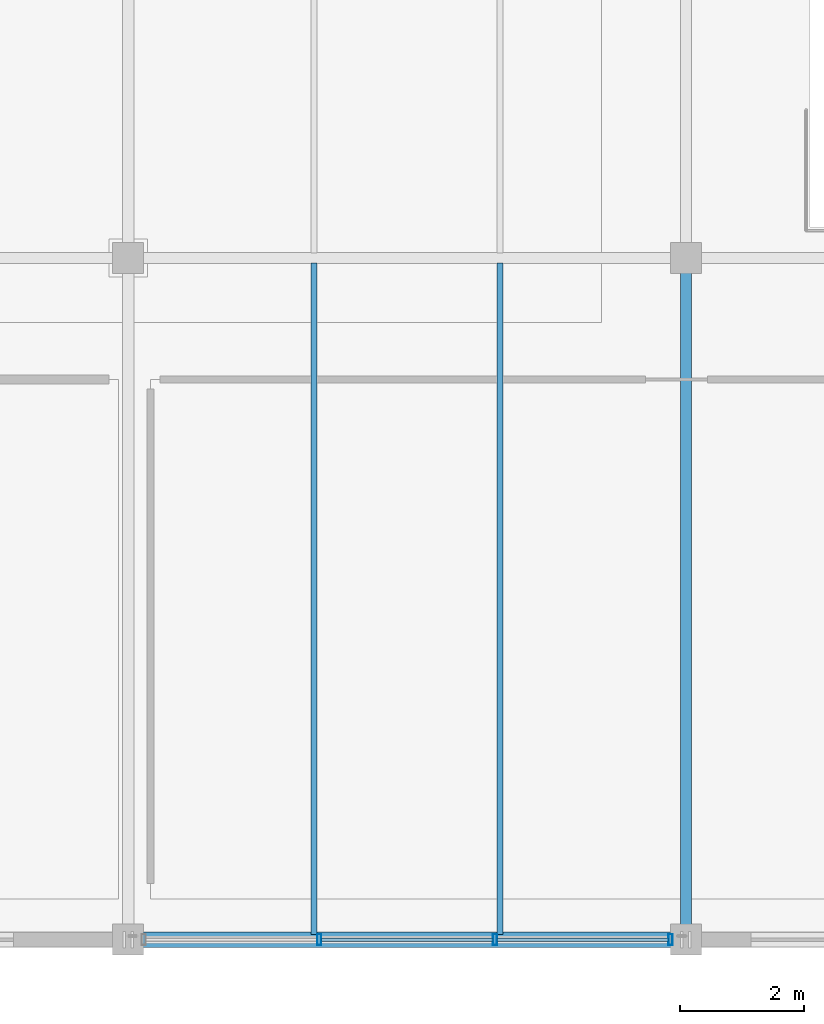
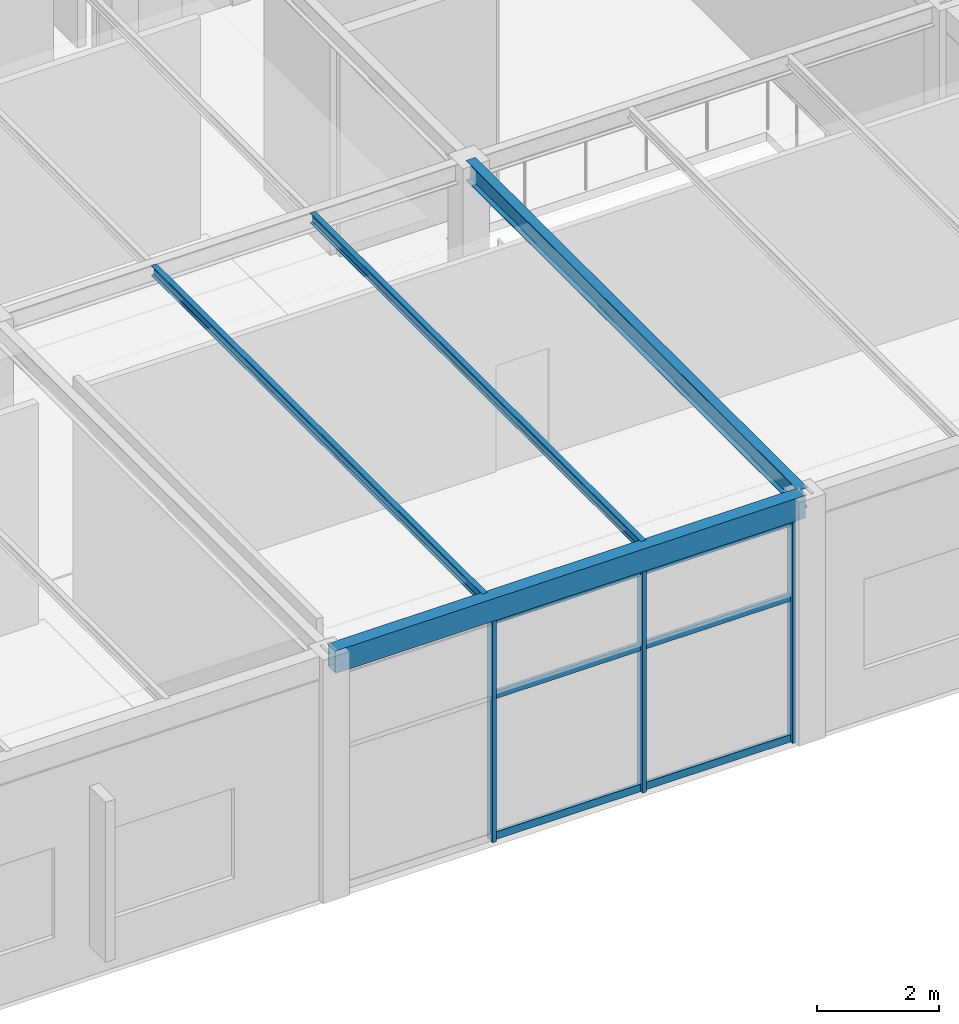
# One storey, part 73 of 195: 9 members, 4 beams, 1 element without a shape of its own.
"""IFC4 building model written with IfcOpenShell, lengths in metres."""

from ifc_helpers import new_model, si_unit, direction, frame, origin, origin_2d, place, context, subcontext, project, spatial, hollow_rectangle, i_section, extrude, material, layer, layer_set, material_profile, profile_set, type_object, element, aggregate, save


model = new_model("IFC4")

# Units and contexts
model_context = context("Model", 3, precision=1e-05, world=origin(), true_north=direction((0.0, 1.0)))
body_context = subcontext(model_context, "Body", "Model", "MODEL_VIEW")
ifc_project = project(units=[si_unit("LENGTHUNIT", "METRE"), si_unit("AREAUNIT", "SQUARE_METRE"), si_unit("VOLUMEUNIT", "CUBIC_METRE"), si_unit("PLANEANGLEUNIT", "RADIAN"), si_unit("MASSUNIT", "GRAM", prefix="KILO")], contexts=[model_context])

# Site, building, storey
site_placement = place(None, origin())
site = spatial("IfcSite", under=ifc_project, at=site_placement, CompositionType="ELEMENT")
building_placement = place(site_placement, origin())
building = spatial("IfcBuilding", under=site, at=building_placement, Name="Marlcrest Central Station", CompositionType="ELEMENT")
storey_placement = place(building_placement, frame((0.0, 0.0, 9.800048828125)))
storey = spatial("IfcBuildingStorey", under=building, at=storey_placement, Name="L02", CompositionType="ELEMENT", Elevation=9.800048828125)

# Beams
ifc_material_1 = material(Name="Steel S355", Category="steel")
ifc_material_profile_1 = material_profile(ifc_material_1, i_section(OverallWidth=0.179931640625, OverallDepth=0.39990234375, WebThickness=0.008544921875, FlangeThickness=0.013427734375, FilletRadius=0.02099609375, at=origin_2d()), Name="IPE 400")
ifc_profile_set_1 = profile_set([ifc_material_profile_1], Name="Steel S355")
beam_type_1 = type_object("IfcBeamType", Name="BM-03", PredefinedType="BEAM", material=ifc_profile_set_1)
beam_1_placement = place(storey_placement, frame((198.0, 0.06005859375, 4.669921875), z_axis=(0.0, 1.0, 0.0), x_axis=(-1.0, 0.0, 0.0)))
element("IfcBeam", 1, at=beam_1_placement, inside=storey, type_object=beam_type_1, Name="bm-BM-03-L02-00994", PredefinedType="BEAM", context=body_context, shape_type="SweptSolid", body=[
    extrude(i_section(OverallWidth=0.179931640625, OverallDepth=0.39990234375, WebThickness=0.008544921875, FlangeThickness=0.013427734375, FilletRadius=0.02099609375, at=origin_2d()), origin(), (0.0, 0.0, 1.0), 10.8798828125),
])
ifc_material_profile_2 = material_profile(ifc_material_1, i_section(OverallWidth=0.10009765625, OverallDepth=0.199951171875, WebThickness=0.005615234375, FlangeThickness=0.008544921875, FilletRadius=0.011962890625, at=origin_2d()), Name="IPE 200")
ifc_profile_set_2 = profile_set([ifc_material_profile_2], Name="Steel S355")
beam_type_2 = type_object("IfcBeamType", Name="JS-01", PredefinedType="JOIST", material=ifc_profile_set_2)
for number, where, z_axis, x_axis, name in (
    (2, (192.0, 0.0830078125, 4.77001953125), (0.0, 1.0, 0.0), (-1.0, 0.0, 0.0), "bm-JS-01-L02-01024"),
    (3, (195.0, 0.0830078125, 4.77001953125), (0.0, 1.0, 0.0), (-1.0, 0.0, 0.0), "bm-JS-01-L02-01027"),
):
    element("IfcBeam", number, at=place(storey_placement, frame(where, z_axis=z_axis, x_axis=x_axis)), inside=storey, type_object=beam_type_2, Name=name, PredefinedType="JOIST", context=body_context, shape_type="SweptSolid", body=[
        extrude(i_section(OverallWidth=0.10009765625, OverallDepth=0.199951171875, WebThickness=0.005615234375, FlangeThickness=0.008544921875, FilletRadius=0.011962890625, at=origin_2d()), origin(), (0.0, 0.0, 1.0), 10.833984375),
    ])

# Curtain wall, members
ifc_material_2 = material(Name="Anodised aluminium and hurricane laminated glass", Category="aluminium")
ifc_layer = layer(ifc_material_2, 0.179931640625, Name="CW-S1")
ifc_layer_set = layer_set([ifc_layer], Name="Anodised aluminium and hurricane laminated glass")
curtain_wall_type = type_object("IfcCurtainWallType", Name="CW-S1", PredefinedType="USERDEFINED", material=ifc_layer_set)
curtain_wall_placement = place(storey_placement, origin())
curtain_wall = element("IfcCurtainWall", 4, at=curtain_wall_placement, inside=storey, type_object=curtain_wall_type, Name="cw-L02-0155", ObjectType="STICK_CURTAIN_WALL", PredefinedType="USERDEFINED")
ifc_material_3 = material(Name="Anodised aluminium 6063-T6", Category="aluminium")
ifc_material_profile_3 = material_profile(ifc_material_3, hollow_rectangle(XDim=0.070068359375, YDim=0.179931640625, WallThickness=0.0048828125, at=origin_2d()), Name="AA-RHS 180x70x5")
ifc_profile_set_3 = profile_set([ifc_material_profile_3], Name="Anodised aluminium 6063-T6")
member_type_1 = type_object("IfcMemberType", Name="ML-02", PredefinedType="MULLION", material=ifc_profile_set_3)
member_1_placement = place(storey_placement, frame((197.75, 0.0, -0.030029296875), z_axis=(0.0, 0.0, 1.0), x_axis=(1.0, 0.0, 0.0)))
member_1 = element("IfcMember", 5, at=member_1_placement, type_object=member_type_1, Name="cw-L02-0155-ml-0", PredefinedType="MULLION", context=body_context, shape_type="SweptSolid", body=[
    extrude(hollow_rectangle(XDim=0.070068359375, YDim=0.179931640625, WallThickness=0.0048828125, at=origin_2d()), origin(), (0.0, 0.0, 1.0), 4.449951171875),
])
member_2_placement = place(storey_placement, frame((194.916748046875, 0.0, -0.030029296875), z_axis=(0.0, 0.0, 1.0), x_axis=(1.0, 0.0, 0.0)))
member_2 = element("IfcMember", 6, at=member_2_placement, type_object=member_type_1, Name="cw-L02-0155-ml-1", PredefinedType="MULLION", context=body_context, shape_type="SweptSolid", body=[
    extrude(hollow_rectangle(XDim=0.070068359375, YDim=0.179931640625, WallThickness=0.0048828125, at=origin_2d()), origin(), (0.0, 0.0, 1.0), 4.449951171875),
])
member_3_placement = place(storey_placement, frame((192.083251953125, 0.0, -0.030029296875), z_axis=(0.0, 0.0, 1.0), x_axis=(1.0, 0.0, 0.0)))
member_3 = element("IfcMember", 7, at=member_3_placement, type_object=member_type_1, Name="cw-L02-0155-ml-2", PredefinedType="MULLION", context=body_context, shape_type="SweptSolid", body=[
    extrude(hollow_rectangle(XDim=0.070068359375, YDim=0.179931640625, WallThickness=0.0048828125, at=origin_2d()), origin(), (0.0, 0.0, 1.0), 4.449951171875),
])

# Beam
ifc_material_profile_4 = material_profile(ifc_material_1, hollow_rectangle(XDim=0.25, YDim=0.449951171875, WallThickness=0.01611328125, at=origin_2d()), Name="RHS 450x250x16")
ifc_profile_set_4 = profile_set([ifc_material_profile_4], Name="Steel S355")
beam_type_3 = type_object("IfcBeamType", Name="SP-02", PredefinedType="SPANDREL", material=ifc_profile_set_4)
beam_2_placement = place(storey_placement, frame((189.06005859375, 0.0, 4.64501953125), z_axis=(1.0, 0.0, 0.0), x_axis=(0.0, 1.0, 0.0)))
element("IfcBeam", 8, at=beam_2_placement, inside=storey, type_object=beam_type_3, Name="bm-SP-02-L02-00959", PredefinedType="SPANDREL", context=body_context, shape_type="SweptSolid", body=[
    extrude(hollow_rectangle(XDim=0.25, YDim=0.449951171875, WallThickness=0.01611328125, at=origin_2d()), origin(), (0.0, 0.0, 1.0), 8.8798828125),
])

# Member
ifc_material_profile_5 = material_profile(ifc_material_3, hollow_rectangle(XDim=0.06005859375, YDim=0.14990234375, WallThickness=0.00390625, at=origin_2d()), Name="AA-RHS 150x60x4")
ifc_profile_set_5 = profile_set([ifc_material_profile_5], Name="Anodised aluminium 6063-T6")
member_type_2 = type_object("IfcMemberType", Name="TR-01", PredefinedType="USERDEFINED", material=ifc_profile_set_5)
member_4_placement = place(storey_placement, frame((197.717041015625, 0.0, 0.0400390625), z_axis=(-1.0, 0.0, 0.0), x_axis=(0.0, -1.0, 0.0)))
member_4 = element("IfcMember", 9, at=member_4_placement, type_object=member_type_2, Name="cw-L02-0155-tr-0-sill", ObjectType="TRANSOM", PredefinedType="USERDEFINED", context=body_context, shape_type="SweptSolid", body=[
    extrude(hollow_rectangle(XDim=0.06005859375, YDim=0.14990234375, WallThickness=0.00390625, at=origin_2d()), origin(), (0.0, 0.0, 1.0), 2.767333984375),
])

member_5_placement = place(storey_placement, frame((197.717041015625, 0.0, 2.85400390625), z_axis=(-1.0, 0.0, 0.0), x_axis=(0.0, -1.0, 0.0)))
member_5 = element("IfcMember", 10, at=member_5_placement, type_object=member_type_2, Name="cw-L02-0155-tr-0-mid", ObjectType="TRANSOM", PredefinedType="USERDEFINED", context=body_context, shape_type="SweptSolid", body=[
    extrude(hollow_rectangle(XDim=0.06005859375, YDim=0.14990234375, WallThickness=0.00390625, at=origin_2d()), origin(), (0.0, 0.0, 1.0), 2.767333984375),
])

member_6_placement = place(storey_placement, frame((197.717041015625, 0.0, 4.349853515625), z_axis=(-1.0, 0.0, 0.0), x_axis=(0.0, -1.0, 0.0)))
member_6 = element("IfcMember", 11, at=member_6_placement, type_object=member_type_2, Name="cw-L02-0155-tr-0-head", ObjectType="TRANSOM", PredefinedType="USERDEFINED", context=body_context, shape_type="SweptSolid", body=[
    extrude(hollow_rectangle(XDim=0.06005859375, YDim=0.14990234375, WallThickness=0.00390625, at=origin_2d()), origin(), (0.0, 0.0, 1.0), 2.767333984375),
])

member_7_placement = place(storey_placement, frame((194.8837890625, 0.0, 0.0400390625), z_axis=(-1.0, 0.0, 0.0), x_axis=(0.0, -1.0, 0.0)))
member_7 = element("IfcMember", 12, at=member_7_placement, type_object=member_type_2, Name="cw-L02-0155-tr-1-sill", ObjectType="TRANSOM", PredefinedType="USERDEFINED", context=body_context, shape_type="SweptSolid", body=[
    extrude(hollow_rectangle(XDim=0.06005859375, YDim=0.14990234375, WallThickness=0.00390625, at=origin_2d()), origin(), (0.0, 0.0, 1.0), 2.767578125),
])

member_8_placement = place(storey_placement, frame((194.8837890625, 0.0, 2.85400390625), z_axis=(-1.0, 0.0, 0.0), x_axis=(0.0, -1.0, 0.0)))
member_8 = element("IfcMember", 13, at=member_8_placement, type_object=member_type_2, Name="cw-L02-0155-tr-1-mid", ObjectType="TRANSOM", PredefinedType="USERDEFINED", context=body_context, shape_type="SweptSolid", body=[
    extrude(hollow_rectangle(XDim=0.06005859375, YDim=0.14990234375, WallThickness=0.00390625, at=origin_2d()), origin(), (0.0, 0.0, 1.0), 2.767578125),
])

member_9_placement = place(storey_placement, frame((194.8837890625, 0.0, 4.349853515625), z_axis=(-1.0, 0.0, 0.0), x_axis=(0.0, -1.0, 0.0)))
member_9 = element("IfcMember", 14, at=member_9_placement, type_object=member_type_2, Name="cw-L02-0155-tr-1-head", ObjectType="TRANSOM", PredefinedType="USERDEFINED", context=body_context, shape_type="SweptSolid", body=[
    extrude(hollow_rectangle(XDim=0.06005859375, YDim=0.14990234375, WallThickness=0.00390625, at=origin_2d()), origin(), (0.0, 0.0, 1.0), 2.767578125),
])

aggregate(curtain_wall, [member_1, member_2, member_3, member_4, member_5, member_6, member_7, member_8, member_9])

save(model, "model.ifc")
